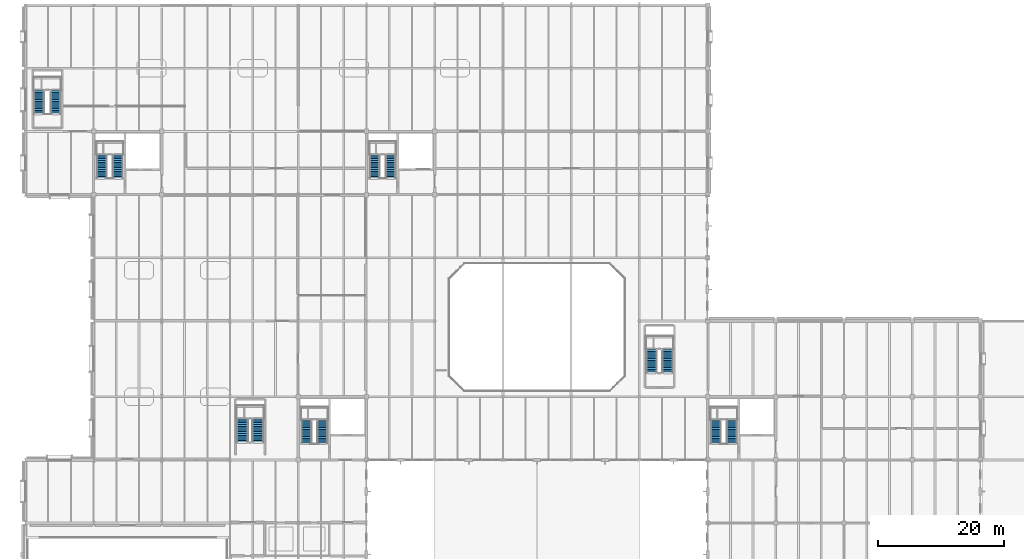
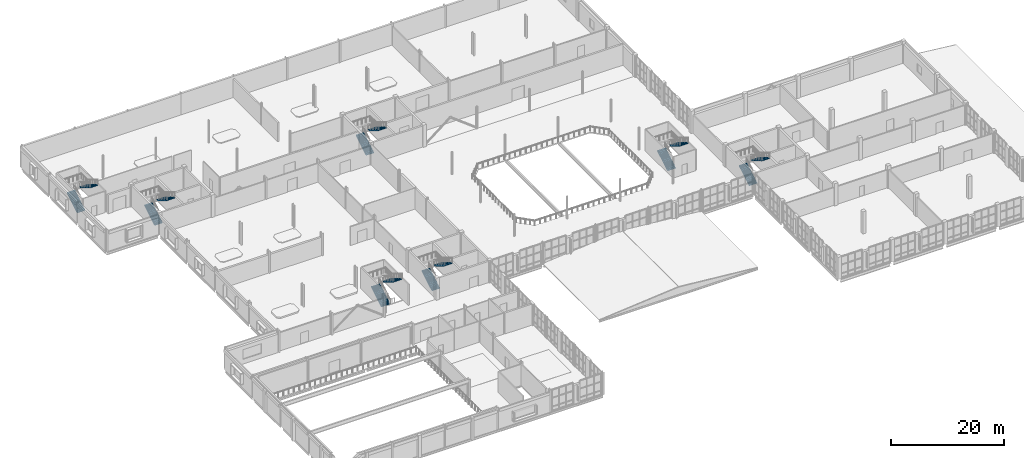
# One storey, part 81 of 92: 14 stair flights, 7 elements without a shape of their own.
"""IFC4 building model written with IfcOpenShell, lengths in metres."""

from ifc_helpers import new_model, si_unit, direction, frame, origin, place, context, subcontext, project, spatial, polyline, outline, extrude, material, type_object, element, aggregate, save


model = new_model("IFC4")

# Units and contexts
model_context = context("Model", 3, precision=1e-05, world=origin(), true_north=direction((0.0, 1.0)))
body_context = subcontext(model_context, "Body", "Model", "MODEL_VIEW")
ifc_project = project(units=[si_unit("LENGTHUNIT", "METRE"), si_unit("AREAUNIT", "SQUARE_METRE"), si_unit("VOLUMEUNIT", "CUBIC_METRE"), si_unit("PLANEANGLEUNIT", "RADIAN"), si_unit("MASSUNIT", "GRAM", prefix="KILO")], contexts=[model_context])

# Site, building, storey
site_placement = place(None, origin())
site = spatial("IfcSite", under=ifc_project, at=site_placement, CompositionType="ELEMENT")
building_placement = place(site_placement, origin())
building = spatial("IfcBuilding", under=site, at=building_placement, Name="Tasgan Crest Museum", CompositionType="ELEMENT")
storey_placement = place(building_placement, frame((0.0, 0.0, 4.800048828125)))
storey = spatial("IfcBuildingStorey", under=building, at=storey_placement, Name="L01", CompositionType="ELEMENT", Elevation=4.800048828125)

# Stair, stair flights
ifc_material_1 = material(Name="Concrete C35/45", Category="concrete")
stair_type_1 = type_object("IfcStairType", Name="ST-CORE-48", PredefinedType="HALF_TURN_STAIR", material=ifc_material_1)
stair_1_placement = place(storey_placement, origin())
stair_1 = element("IfcStair", 1, at=stair_1_placement, inside=storey, type_object=stair_type_1, Name="Stair ST-GP-L01 L01", PredefinedType="HALF_TURN_STAIR")
ifc_material_2 = material(Name="Concrete C35/45", Category="concrete")
stair_flight_type_1 = type_object("IfcStairFlightType", Name="SF-PLINTH-1800", PredefinedType="STRAIGHT", material=ifc_material_2)
stair_flight_1_placement = place(storey_placement, frame((34.3798828125, 42.75, 0.0), z_axis=(0.0, 0.0, 1.0), x_axis=(0.0, 1.0, 0.0)))
stair_flight_1 = element("IfcStairFlight", 2, at=stair_flight_1_placement, type_object=stair_flight_type_1, Name="ST-GP-L01 flight 1", NumberOfRisers=14, NumberOfTreads=13, PredefinedType="STRAIGHT", RiserHeight=0.171428571, TreadLength=0.285, context=body_context, shape_type="SweptSolid", body=[
    extrude(outline(polyline([(0.0, 0.0), (0.0, 0.17138671875), (0.284912109375, 0.17138671875), (0.284912109375, 0.3427734375), (0.570068359375, 0.3427734375), (0.570068359375, 0.514404296875), (0.85498046875, 0.514404296875), (0.85498046875, 0.685791015625), (1.139892578125, 0.685791015625), (1.139892578125, 0.857177734375), (1.425048828125, 0.857177734375), (1.425048828125, 1.028564453125), (1.7099609375, 1.028564453125), (1.7099609375, 1.199951171875), (1.9951171875, 1.199951171875), (1.9951171875, 1.371337890625), (2.280029296875, 1.371337890625), (2.280029296875, 1.54296875), (2.56494140625, 1.54296875), (2.56494140625, 1.71435546875), (2.85009765625, 1.71435546875), (2.85009765625, 1.8857421875), (3.135009765625, 1.8857421875), (3.135009765625, 2.05712890625), (3.419921875, 2.05712890625), (3.419921875, 2.228515625), (3.705078125, 2.228515625), (3.705078125, 2.39990234375), (3.705078125, 2.0537109375), (0.290771484375, 0.0), (0.0, 0.0)])), frame((0.0, 0.89990234375, 0.0), z_axis=(0.0, -1.0, 0.0), x_axis=(1.0, 0.0, 0.0)), (0.0, 0.0, 1.0), 1.800048828125),
])
stair_flight_2_placement = place(storey_placement, frame((36.820068359375, 46.455078125, 2.39990234375), z_axis=(0.0, 0.0, 1.0), x_axis=(0.0, -1.0, 0.0)))
stair_flight_2 = element("IfcStairFlight", 3, at=stair_flight_2_placement, type_object=stair_flight_type_1, Name="ST-GP-L01 flight 2", NumberOfRisers=14, NumberOfTreads=13, PredefinedType="STRAIGHT", RiserHeight=0.171428571, TreadLength=0.285, context=body_context, shape_type="SweptSolid", body=[
    extrude(outline(polyline([(0.0, 0.0), (0.0, 0.17138671875), (0.284912109375, 0.17138671875), (0.284912109375, 0.3427734375), (0.570068359375, 0.3427734375), (0.570068359375, 0.514404296875), (0.85498046875, 0.514404296875), (0.85498046875, 0.685791015625), (1.139892578125, 0.685791015625), (1.139892578125, 0.857177734375), (1.425048828125, 0.857177734375), (1.425048828125, 1.028564453125), (1.7099609375, 1.028564453125), (1.7099609375, 1.199951171875), (1.9951171875, 1.199951171875), (1.9951171875, 1.371337890625), (2.280029296875, 1.371337890625), (2.280029296875, 1.54296875), (2.56494140625, 1.54296875), (2.56494140625, 1.71435546875), (2.85009765625, 1.71435546875), (2.85009765625, 1.8857421875), (3.135009765625, 1.8857421875), (3.135009765625, 2.05712890625), (3.419921875, 2.05712890625), (3.419921875, 2.228515625), (3.705078125, 2.228515625), (3.705078125, 2.39990234375), (3.705078125, 2.0537109375), (0.290771484375, 0.0), (0.0, 0.0)])), frame((0.0, 0.89990234375, 0.0), z_axis=(0.0, -1.0, 0.0), x_axis=(1.0, 0.0, 0.0)), (0.0, 0.0, 1.0), 1.800048828125),
])
aggregate(stair_1, [stair_flight_1, stair_flight_2])

stair_2_placement = place(storey_placement, origin())
stair_2 = element("IfcStair", 4, at=stair_2_placement, inside=storey, type_object=stair_type_1, Name="Stair ST-NW-L01 L01", PredefinedType="HALF_TURN_STAIR")
ifc_material_3 = material(Name="Concrete C35/45", Category="concrete")
stair_flight_type_2 = type_object("IfcStairFlightType", Name="SF-RC-1620", PredefinedType="STRAIGHT", material=ifc_material_3)
stair_flight_3_placement = place(storey_placement, frame((12.110107421875, 84.550048828125, 0.0), z_axis=(0.0, 0.0, 1.0), x_axis=(0.0, 1.0, 0.0)))
stair_flight_3 = element("IfcStairFlight", 5, at=stair_flight_3_placement, type_object=stair_flight_type_2, Name="ST-NW-L01 flight 1", NumberOfRisers=14, NumberOfTreads=13, PredefinedType="STRAIGHT", RiserHeight=0.171428571, TreadLength=0.285, context=body_context, shape_type="SweptSolid", body=[
    extrude(outline(polyline([(0.0, 0.0), (0.0, 0.17138671875), (0.284912109375, 0.17138671875), (0.284912109375, 0.3427734375), (0.570068359375, 0.3427734375), (0.570068359375, 0.514404296875), (0.85498046875, 0.514404296875), (0.85498046875, 0.685791015625), (1.139892578125, 0.685791015625), (1.139892578125, 0.857177734375), (1.425048828125, 0.857177734375), (1.425048828125, 1.028564453125), (1.7099609375, 1.028564453125), (1.7099609375, 1.199951171875), (1.9951171875, 1.199951171875), (1.9951171875, 1.371337890625), (2.280029296875, 1.371337890625), (2.280029296875, 1.54296875), (2.56494140625, 1.54296875), (2.56494140625, 1.71435546875), (2.85009765625, 1.71435546875), (2.85009765625, 1.8857421875), (3.135009765625, 1.8857421875), (3.135009765625, 2.05712890625), (3.419921875, 2.05712890625), (3.419921875, 2.228515625), (3.705078125, 2.228515625), (3.705078125, 2.39990234375), (3.705078125, 2.0537109375), (0.290771484375, 0.0), (0.0, 0.0)])), frame((0.0, 0.81005859375, 0.0), z_axis=(0.0, -1.0, 0.0), x_axis=(1.0, 0.0, 0.0)), (0.0, 0.0, 1.0), 1.6201171875),
])
stair_flight_4_placement = place(storey_placement, frame((14.639892578125, 88.2548828125, 2.39990234375), z_axis=(0.0, 0.0, 1.0), x_axis=(0.0, -1.0, 0.0)))
stair_flight_4 = element("IfcStairFlight", 6, at=stair_flight_4_placement, type_object=stair_flight_type_2, Name="ST-NW-L01 flight 2", NumberOfRisers=14, NumberOfTreads=13, PredefinedType="STRAIGHT", RiserHeight=0.171428571, TreadLength=0.285, context=body_context, shape_type="SweptSolid", body=[
    extrude(outline(polyline([(0.0, 0.0), (0.0, 0.17138671875), (0.284912109375, 0.17138671875), (0.284912109375, 0.3427734375), (0.570068359375, 0.3427734375), (0.570068359375, 0.514404296875), (0.85498046875, 0.514404296875), (0.85498046875, 0.685791015625), (1.139892578125, 0.685791015625), (1.139892578125, 0.857177734375), (1.425048828125, 0.857177734375), (1.425048828125, 1.028564453125), (1.7099609375, 1.028564453125), (1.7099609375, 1.199951171875), (1.9951171875, 1.199951171875), (1.9951171875, 1.371337890625), (2.280029296875, 1.371337890625), (2.280029296875, 1.54296875), (2.56494140625, 1.54296875), (2.56494140625, 1.71435546875), (2.85009765625, 1.71435546875), (2.85009765625, 1.8857421875), (3.135009765625, 1.8857421875), (3.135009765625, 2.05712890625), (3.419921875, 2.05712890625), (3.419921875, 2.228515625), (3.705078125, 2.228515625), (3.705078125, 2.39990234375), (3.705078125, 2.0537109375), (0.290771484375, 0.0), (0.0, 0.0)])), frame((0.0, 0.81005859375, 0.0), z_axis=(0.0, -1.0, 0.0), x_axis=(1.0, 0.0, 0.0)), (0.0, 0.0, 1.0), 1.6201171875),
])
aggregate(stair_2, [stair_flight_3, stair_flight_4])

stair_3_placement = place(storey_placement, origin())
stair_3 = element("IfcStair", 7, at=stair_3_placement, inside=storey, type_object=stair_type_1, Name="Stair ST-NC-L01 L01", PredefinedType="HALF_TURN_STAIR")
stair_flight_5_placement = place(storey_placement, frame((55.31005859375, 84.550048828125, 0.0), z_axis=(0.0, 0.0, 1.0), x_axis=(0.0, 1.0, 0.0)))
stair_flight_5 = element("IfcStairFlight", 8, at=stair_flight_5_placement, type_object=stair_flight_type_2, Name="ST-NC-L01 flight 1", NumberOfRisers=14, NumberOfTreads=13, PredefinedType="STRAIGHT", RiserHeight=0.171428571, TreadLength=0.285, context=body_context, shape_type="SweptSolid", body=[
    extrude(outline(polyline([(0.0, 0.0), (0.0, 0.17138671875), (0.284912109375, 0.17138671875), (0.284912109375, 0.3427734375), (0.570068359375, 0.3427734375), (0.570068359375, 0.514404296875), (0.85498046875, 0.514404296875), (0.85498046875, 0.685791015625), (1.139892578125, 0.685791015625), (1.139892578125, 0.857177734375), (1.425048828125, 0.857177734375), (1.425048828125, 1.028564453125), (1.7099609375, 1.028564453125), (1.7099609375, 1.199951171875), (1.9951171875, 1.199951171875), (1.9951171875, 1.371337890625), (2.280029296875, 1.371337890625), (2.280029296875, 1.54296875), (2.56494140625, 1.54296875), (2.56494140625, 1.71435546875), (2.85009765625, 1.71435546875), (2.85009765625, 1.8857421875), (3.135009765625, 1.8857421875), (3.135009765625, 2.05712890625), (3.419921875, 2.05712890625), (3.419921875, 2.228515625), (3.705078125, 2.228515625), (3.705078125, 2.39990234375), (3.705078125, 2.0537109375), (0.290771484375, 0.0), (0.0, 0.0)])), frame((0.0, 0.81005859375, 0.0), z_axis=(0.0, -1.0, 0.0), x_axis=(1.0, 0.0, 0.0)), (0.0, 0.0, 1.0), 1.6201171875),
])
stair_flight_6_placement = place(storey_placement, frame((57.840087890625, 88.2548828125, 2.39990234375), z_axis=(0.0, 0.0, 1.0), x_axis=(0.0, -1.0, 0.0)))
stair_flight_6 = element("IfcStairFlight", 9, at=stair_flight_6_placement, type_object=stair_flight_type_2, Name="ST-NC-L01 flight 2", NumberOfRisers=14, NumberOfTreads=13, PredefinedType="STRAIGHT", RiserHeight=0.171428571, TreadLength=0.285, context=body_context, shape_type="SweptSolid", body=[
    extrude(outline(polyline([(0.0, 0.0), (0.0, 0.17138671875), (0.284912109375, 0.17138671875), (0.284912109375, 0.3427734375), (0.570068359375, 0.3427734375), (0.570068359375, 0.514404296875), (0.85498046875, 0.514404296875), (0.85498046875, 0.685791015625), (1.139892578125, 0.685791015625), (1.139892578125, 0.857177734375), (1.425048828125, 0.857177734375), (1.425048828125, 1.028564453125), (1.7099609375, 1.028564453125), (1.7099609375, 1.199951171875), (1.9951171875, 1.199951171875), (1.9951171875, 1.371337890625), (2.280029296875, 1.371337890625), (2.280029296875, 1.54296875), (2.56494140625, 1.54296875), (2.56494140625, 1.71435546875), (2.85009765625, 1.71435546875), (2.85009765625, 1.8857421875), (3.135009765625, 1.8857421875), (3.135009765625, 2.05712890625), (3.419921875, 2.05712890625), (3.419921875, 2.228515625), (3.705078125, 2.228515625), (3.705078125, 2.39990234375), (3.705078125, 2.0537109375), (0.290771484375, 0.0), (0.0, 0.0)])), frame((0.0, 0.81005859375, 0.0), z_axis=(0.0, -1.0, 0.0), x_axis=(1.0, 0.0, 0.0)), (0.0, 0.0, 1.0), 1.6201171875),
])
aggregate(stair_3, [stair_flight_5, stair_flight_6])

stair_4_placement = place(storey_placement, origin())
stair_4 = element("IfcStair", 10, at=stair_4_placement, inside=storey, type_object=stair_type_1, Name="Stair ST-SE-L01 L01", PredefinedType="HALF_TURN_STAIR")
stair_flight_7_placement = place(storey_placement, frame((109.31005859375, 42.550048828125, 0.0), z_axis=(0.0, 0.0, 1.0), x_axis=(0.0, 1.0, 0.0)))
stair_flight_7 = element("IfcStairFlight", 11, at=stair_flight_7_placement, type_object=stair_flight_type_2, Name="ST-SE-L01 flight 1", NumberOfRisers=14, NumberOfTreads=13, PredefinedType="STRAIGHT", RiserHeight=0.171428571, TreadLength=0.285, context=body_context, shape_type="SweptSolid", body=[
    extrude(outline(polyline([(0.0, 0.0), (0.0, 0.17138671875), (0.284912109375, 0.17138671875), (0.284912109375, 0.3427734375), (0.570068359375, 0.3427734375), (0.570068359375, 0.514404296875), (0.85498046875, 0.514404296875), (0.85498046875, 0.685791015625), (1.139892578125, 0.685791015625), (1.139892578125, 0.857177734375), (1.425048828125, 0.857177734375), (1.425048828125, 1.028564453125), (1.7099609375, 1.028564453125), (1.7099609375, 1.199951171875), (1.9951171875, 1.199951171875), (1.9951171875, 1.371337890625), (2.280029296875, 1.371337890625), (2.280029296875, 1.54296875), (2.56494140625, 1.54296875), (2.56494140625, 1.71435546875), (2.85009765625, 1.71435546875), (2.85009765625, 1.8857421875), (3.135009765625, 1.8857421875), (3.135009765625, 2.05712890625), (3.419921875, 2.05712890625), (3.419921875, 2.228515625), (3.705078125, 2.228515625), (3.705078125, 2.39990234375), (3.705078125, 2.0537109375), (0.290771484375, 0.0), (0.0, 0.0)])), frame((0.0, 0.81005859375, 0.0), z_axis=(0.0, -1.0, 0.0), x_axis=(1.0, 0.0, 0.0)), (0.0, 0.0, 1.0), 1.6201171875),
])
stair_flight_8_placement = place(storey_placement, frame((111.840087890625, 46.2548828125, 2.39990234375), z_axis=(0.0, 0.0, 1.0), x_axis=(0.0, -1.0, 0.0)))
stair_flight_8 = element("IfcStairFlight", 12, at=stair_flight_8_placement, type_object=stair_flight_type_2, Name="ST-SE-L01 flight 2", NumberOfRisers=14, NumberOfTreads=13, PredefinedType="STRAIGHT", RiserHeight=0.171428571, TreadLength=0.285, context=body_context, shape_type="SweptSolid", body=[
    extrude(outline(polyline([(0.0, 0.0), (0.0, 0.17138671875), (0.284912109375, 0.17138671875), (0.284912109375, 0.3427734375), (0.570068359375, 0.3427734375), (0.570068359375, 0.514404296875), (0.85498046875, 0.514404296875), (0.85498046875, 0.685791015625), (1.139892578125, 0.685791015625), (1.139892578125, 0.857177734375), (1.425048828125, 0.857177734375), (1.425048828125, 1.028564453125), (1.7099609375, 1.028564453125), (1.7099609375, 1.199951171875), (1.9951171875, 1.199951171875), (1.9951171875, 1.371337890625), (2.280029296875, 1.371337890625), (2.280029296875, 1.54296875), (2.56494140625, 1.54296875), (2.56494140625, 1.71435546875), (2.85009765625, 1.71435546875), (2.85009765625, 1.8857421875), (3.135009765625, 1.8857421875), (3.135009765625, 2.05712890625), (3.419921875, 2.05712890625), (3.419921875, 2.228515625), (3.705078125, 2.228515625), (3.705078125, 2.39990234375), (3.705078125, 2.0537109375), (0.290771484375, 0.0), (0.0, 0.0)])), frame((0.0, 0.81005859375, 0.0), z_axis=(0.0, -1.0, 0.0), x_axis=(1.0, 0.0, 0.0)), (0.0, 0.0, 1.0), 1.6201171875),
])
aggregate(stair_4, [stair_flight_7, stair_flight_8])

stair_5_placement = place(storey_placement, origin())
stair_5 = element("IfcStair", 13, at=stair_5_placement, inside=storey, type_object=stair_type_1, Name="Stair ST-SW-L01 L01", PredefinedType="HALF_TURN_STAIR")
stair_flight_9_placement = place(storey_placement, frame((44.510009765625, 42.550048828125, 0.0), z_axis=(0.0, 0.0, 1.0), x_axis=(0.0, 1.0, 0.0)))
stair_flight_9 = element("IfcStairFlight", 14, at=stair_flight_9_placement, type_object=stair_flight_type_2, Name="ST-SW-L01 flight 1", NumberOfRisers=14, NumberOfTreads=13, PredefinedType="STRAIGHT", RiserHeight=0.171428571, TreadLength=0.285, context=body_context, shape_type="SweptSolid", body=[
    extrude(outline(polyline([(0.0, 0.0), (0.0, 0.17138671875), (0.284912109375, 0.17138671875), (0.284912109375, 0.3427734375), (0.570068359375, 0.3427734375), (0.570068359375, 0.514404296875), (0.85498046875, 0.514404296875), (0.85498046875, 0.685791015625), (1.139892578125, 0.685791015625), (1.139892578125, 0.857177734375), (1.425048828125, 0.857177734375), (1.425048828125, 1.028564453125), (1.7099609375, 1.028564453125), (1.7099609375, 1.199951171875), (1.9951171875, 1.199951171875), (1.9951171875, 1.371337890625), (2.280029296875, 1.371337890625), (2.280029296875, 1.54296875), (2.56494140625, 1.54296875), (2.56494140625, 1.71435546875), (2.85009765625, 1.71435546875), (2.85009765625, 1.8857421875), (3.135009765625, 1.8857421875), (3.135009765625, 2.05712890625), (3.419921875, 2.05712890625), (3.419921875, 2.228515625), (3.705078125, 2.228515625), (3.705078125, 2.39990234375), (3.705078125, 2.0537109375), (0.290771484375, 0.0), (0.0, 0.0)])), frame((0.0, 0.81005859375, 0.0), z_axis=(0.0, -1.0, 0.0), x_axis=(1.0, 0.0, 0.0)), (0.0, 0.0, 1.0), 1.6201171875),
])
stair_flight_10_placement = place(storey_placement, frame((47.0400390625, 46.2548828125, 2.39990234375), z_axis=(0.0, 0.0, 1.0), x_axis=(0.0, -1.0, 0.0)))
stair_flight_10 = element("IfcStairFlight", 15, at=stair_flight_10_placement, type_object=stair_flight_type_2, Name="ST-SW-L01 flight 2", NumberOfRisers=14, NumberOfTreads=13, PredefinedType="STRAIGHT", RiserHeight=0.171428571, TreadLength=0.285, context=body_context, shape_type="SweptSolid", body=[
    extrude(outline(polyline([(0.0, 0.0), (0.0, 0.17138671875), (0.284912109375, 0.17138671875), (0.284912109375, 0.3427734375), (0.570068359375, 0.3427734375), (0.570068359375, 0.514404296875), (0.85498046875, 0.514404296875), (0.85498046875, 0.685791015625), (1.139892578125, 0.685791015625), (1.139892578125, 0.857177734375), (1.425048828125, 0.857177734375), (1.425048828125, 1.028564453125), (1.7099609375, 1.028564453125), (1.7099609375, 1.199951171875), (1.9951171875, 1.199951171875), (1.9951171875, 1.371337890625), (2.280029296875, 1.371337890625), (2.280029296875, 1.54296875), (2.56494140625, 1.54296875), (2.56494140625, 1.71435546875), (2.85009765625, 1.71435546875), (2.85009765625, 1.8857421875), (3.135009765625, 1.8857421875), (3.135009765625, 2.05712890625), (3.419921875, 2.05712890625), (3.419921875, 2.228515625), (3.705078125, 2.228515625), (3.705078125, 2.39990234375), (3.705078125, 2.0537109375), (0.290771484375, 0.0), (0.0, 0.0)])), frame((0.0, 0.81005859375, 0.0), z_axis=(0.0, -1.0, 0.0), x_axis=(1.0, 0.0, 0.0)), (0.0, 0.0, 1.0), 1.6201171875),
])
aggregate(stair_5, [stair_flight_9, stair_flight_10])

stair_6_placement = place(storey_placement, origin())
stair_6 = element("IfcStair", 16, at=stair_6_placement, inside=storey, type_object=stair_type_1, Name="Stair ST-GW-L01 L01", PredefinedType="HALF_TURN_STAIR")
stair_flight_11_placement = place(storey_placement, frame((2.18994140625, 94.75, 0.0), z_axis=(0.0, 0.0, 1.0), x_axis=(0.0, 1.0, 0.0)))
stair_flight_11 = element("IfcStairFlight", 17, at=stair_flight_11_placement, type_object=stair_flight_type_2, Name="ST-GW-L01 flight 1", NumberOfRisers=14, NumberOfTreads=13, PredefinedType="STRAIGHT", RiserHeight=0.171428571, TreadLength=0.285, context=body_context, shape_type="SweptSolid", body=[
    extrude(outline(polyline([(0.0, 0.0), (0.0, 0.17138671875), (0.284912109375, 0.17138671875), (0.284912109375, 0.3427734375), (0.570068359375, 0.3427734375), (0.570068359375, 0.514404296875), (0.85498046875, 0.514404296875), (0.85498046875, 0.685791015625), (1.139892578125, 0.685791015625), (1.139892578125, 0.857177734375), (1.425048828125, 0.857177734375), (1.425048828125, 1.028564453125), (1.7099609375, 1.028564453125), (1.7099609375, 1.199951171875), (1.9951171875, 1.199951171875), (1.9951171875, 1.371337890625), (2.280029296875, 1.371337890625), (2.280029296875, 1.54296875), (2.56494140625, 1.54296875), (2.56494140625, 1.71435546875), (2.85009765625, 1.71435546875), (2.85009765625, 1.8857421875), (3.135009765625, 1.8857421875), (3.135009765625, 2.05712890625), (3.419921875, 2.05712890625), (3.419921875, 2.228515625), (3.705078125, 2.228515625), (3.705078125, 2.39990234375), (3.705078125, 2.0537109375), (0.290771484375, 0.0), (0.0, 0.0)])), frame((0.0, 0.81005859375, 0.0), z_axis=(0.0, -1.0, 0.0), x_axis=(1.0, 0.0, 0.0)), (0.0, 0.0, 1.0), 1.6201171875),
])
stair_flight_12_placement = place(storey_placement, frame((4.81005859375, 98.455078125, 2.39990234375), z_axis=(0.0, 0.0, 1.0), x_axis=(0.0, -1.0, 0.0)))
stair_flight_12 = element("IfcStairFlight", 18, at=stair_flight_12_placement, type_object=stair_flight_type_2, Name="ST-GW-L01 flight 2", NumberOfRisers=14, NumberOfTreads=13, PredefinedType="STRAIGHT", RiserHeight=0.171428571, TreadLength=0.285, context=body_context, shape_type="SweptSolid", body=[
    extrude(outline(polyline([(0.0, 0.0), (0.0, 0.17138671875), (0.284912109375, 0.17138671875), (0.284912109375, 0.3427734375), (0.570068359375, 0.3427734375), (0.570068359375, 0.514404296875), (0.85498046875, 0.514404296875), (0.85498046875, 0.685791015625), (1.139892578125, 0.685791015625), (1.139892578125, 0.857177734375), (1.425048828125, 0.857177734375), (1.425048828125, 1.028564453125), (1.7099609375, 1.028564453125), (1.7099609375, 1.199951171875), (1.9951171875, 1.199951171875), (1.9951171875, 1.371337890625), (2.280029296875, 1.371337890625), (2.280029296875, 1.54296875), (2.56494140625, 1.54296875), (2.56494140625, 1.71435546875), (2.85009765625, 1.71435546875), (2.85009765625, 1.8857421875), (3.135009765625, 1.8857421875), (3.135009765625, 2.05712890625), (3.419921875, 2.05712890625), (3.419921875, 2.228515625), (3.705078125, 2.228515625), (3.705078125, 2.39990234375), (3.705078125, 2.0537109375), (0.290771484375, 0.0), (0.0, 0.0)])), frame((0.0, 0.81005859375, 0.0), z_axis=(0.0, -1.0, 0.0), x_axis=(1.0, 0.0, 0.0)), (0.0, 0.0, 1.0), 1.6201171875),
])
aggregate(stair_6, [stair_flight_11, stair_flight_12])

ifc_material_4 = material(Name="Steel S355J2", Category="steel")
stair_type_2 = type_object("IfcStairType", Name="ST-FEAT-48", PredefinedType="HALF_TURN_STAIR", material=ifc_material_4)
stair_7_placement = place(storey_placement, origin())
stair_7 = element("IfcStair", 19, at=stair_7_placement, inside=storey, type_object=stair_type_2, Name="Stair ST-AT-L01 L01", PredefinedType="HALF_TURN_STAIR")
ifc_material_5 = material(Name="Steel S355J2", Category="steel")
stair_flight_type_3 = type_object("IfcStairFlightType", Name="SF-STL-1700", PredefinedType="STRAIGHT", material=ifc_material_5)
stair_flight_13_placement = place(storey_placement, frame((99.1298828125, 53.75, 0.0), z_axis=(0.0, 0.0, 1.0), x_axis=(0.0, 1.0, 0.0)))
stair_flight_13 = element("IfcStairFlight", 20, at=stair_flight_13_placement, type_object=stair_flight_type_3, Name="ST-AT-L01 flight 1", NumberOfRisers=14, NumberOfTreads=13, PredefinedType="STRAIGHT", RiserHeight=0.171428571, TreadLength=0.285, context=body_context, shape_type="SweptSolid", body=[
    extrude(outline(polyline([(0.0, 0.0), (0.0, 0.17138671875), (0.284912109375, 0.17138671875), (0.284912109375, 0.3427734375), (0.570068359375, 0.3427734375), (0.570068359375, 0.514404296875), (0.85498046875, 0.514404296875), (0.85498046875, 0.685791015625), (1.139892578125, 0.685791015625), (1.139892578125, 0.857177734375), (1.425048828125, 0.857177734375), (1.425048828125, 1.028564453125), (1.7099609375, 1.028564453125), (1.7099609375, 1.199951171875), (1.9951171875, 1.199951171875), (1.9951171875, 1.371337890625), (2.280029296875, 1.371337890625), (2.280029296875, 1.54296875), (2.56494140625, 1.54296875), (2.56494140625, 1.71435546875), (2.85009765625, 1.71435546875), (2.85009765625, 1.8857421875), (3.135009765625, 1.8857421875), (3.135009765625, 2.05712890625), (3.419921875, 2.05712890625), (3.419921875, 2.228515625), (3.705078125, 2.228515625), (3.705078125, 2.39990234375), (3.705078125, 2.0537109375), (0.290771484375, 0.0), (0.0, 0.0)])), frame((0.0, 0.85009765625, 0.0), z_axis=(0.0, -1.0, 0.0), x_axis=(1.0, 0.0, 0.0)), (0.0, 0.0, 1.0), 1.699951171875),
])
stair_flight_14_placement = place(storey_placement, frame((101.669921875, 57.455078125, 2.39990234375), z_axis=(0.0, 0.0, 1.0), x_axis=(0.0, -1.0, 0.0)))
stair_flight_14 = element("IfcStairFlight", 21, at=stair_flight_14_placement, type_object=stair_flight_type_3, Name="ST-AT-L01 flight 2", NumberOfRisers=14, NumberOfTreads=13, PredefinedType="STRAIGHT", RiserHeight=0.171428571, TreadLength=0.285, context=body_context, shape_type="SweptSolid", body=[
    extrude(outline(polyline([(0.0, 0.0), (0.0, 0.17138671875), (0.284912109375, 0.17138671875), (0.284912109375, 0.3427734375), (0.570068359375, 0.3427734375), (0.570068359375, 0.514404296875), (0.85498046875, 0.514404296875), (0.85498046875, 0.685791015625), (1.139892578125, 0.685791015625), (1.139892578125, 0.857177734375), (1.425048828125, 0.857177734375), (1.425048828125, 1.028564453125), (1.7099609375, 1.028564453125), (1.7099609375, 1.199951171875), (1.9951171875, 1.199951171875), (1.9951171875, 1.371337890625), (2.280029296875, 1.371337890625), (2.280029296875, 1.54296875), (2.56494140625, 1.54296875), (2.56494140625, 1.71435546875), (2.85009765625, 1.71435546875), (2.85009765625, 1.8857421875), (3.135009765625, 1.8857421875), (3.135009765625, 2.05712890625), (3.419921875, 2.05712890625), (3.419921875, 2.228515625), (3.705078125, 2.228515625), (3.705078125, 2.39990234375), (3.705078125, 2.0537109375), (0.290771484375, 0.0), (0.0, 0.0)])), frame((0.0, 0.85009765625, 0.0), z_axis=(0.0, -1.0, 0.0), x_axis=(1.0, 0.0, 0.0)), (0.0, 0.0, 1.0), 1.699951171875),
])
aggregate(stair_7, [stair_flight_13, stair_flight_14])

save(model, "model.ifc")
